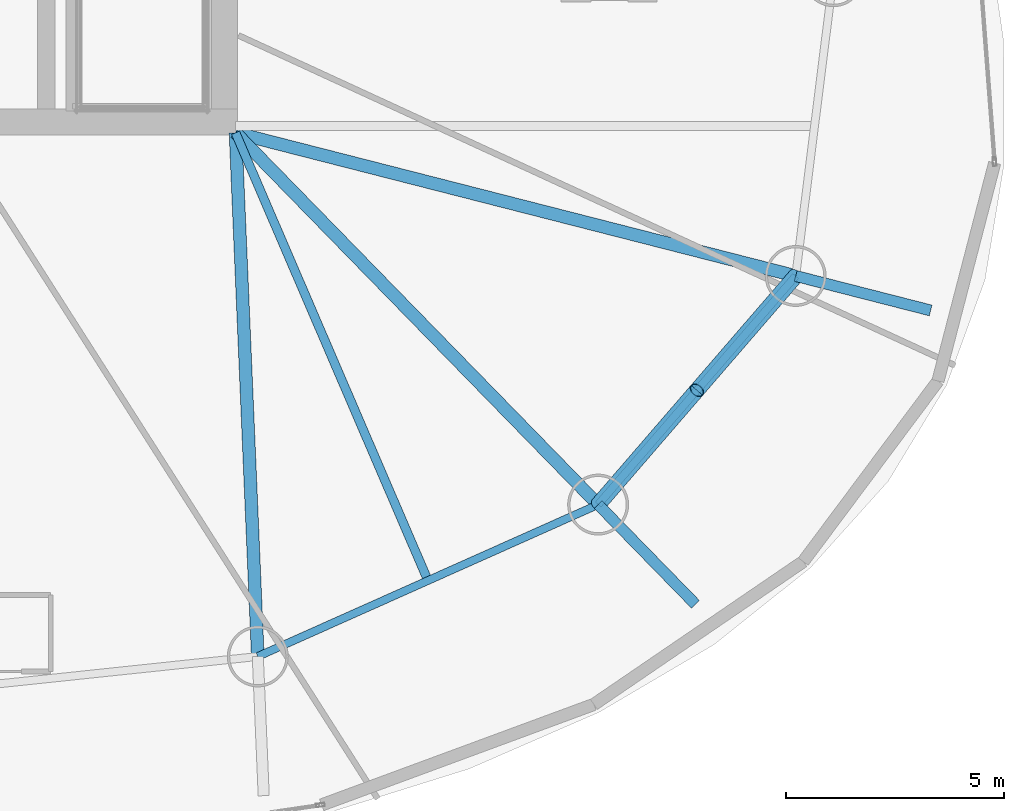
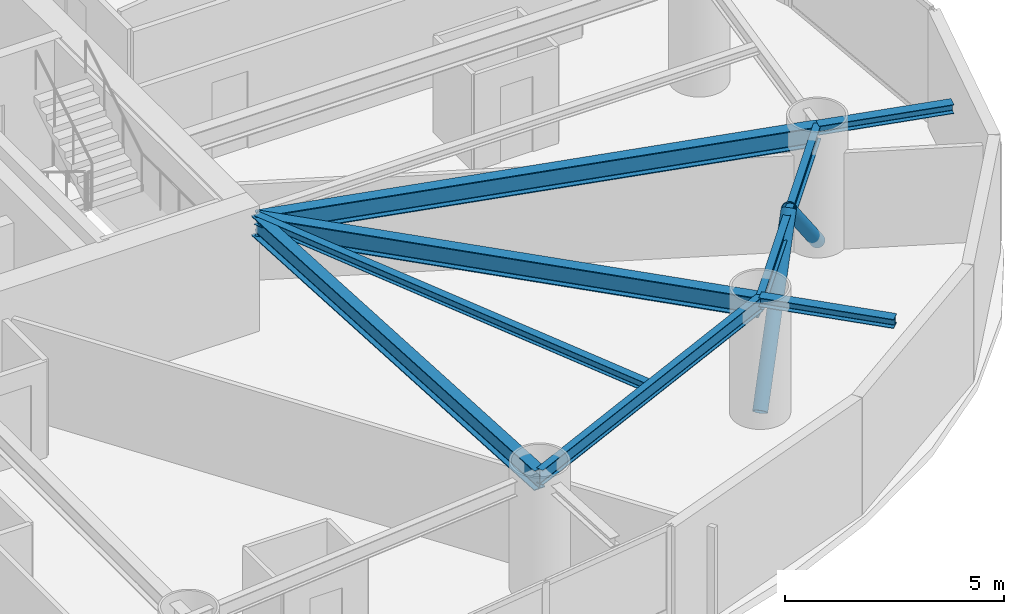
# One storey, part 9 of 22: 8 beams, 2 members.
"""IFC4 building model written with IfcOpenShell, lengths in metres."""

from ifc_helpers import new_model, si_unit, direction, frame, origin, origin_2d, place, context, subcontext, project, spatial, hollow_circle, i_section, extrude, material, material_profile, profile_set, type_object, element, save


model = new_model("IFC4")

# Units and contexts
model_context = context("Model", 3, precision=1e-05, world=origin(), true_north=direction((0.0, 1.0)))
body_context = subcontext(model_context, "Body", "Model", "MODEL_VIEW")
ifc_project = project(units=[si_unit("LENGTHUNIT", "METRE"), si_unit("AREAUNIT", "SQUARE_METRE"), si_unit("VOLUMEUNIT", "CUBIC_METRE"), si_unit("PLANEANGLEUNIT", "RADIAN"), si_unit("MASSUNIT", "GRAM", prefix="KILO")], contexts=[model_context])

# Site, building, storey
site_placement = place(None, origin())
site = spatial("IfcSite", under=ifc_project, at=site_placement, CompositionType="ELEMENT")
building_placement = place(site_placement, origin())
building = spatial("IfcBuilding", under=site, at=building_placement, Name="Bramvorn Convention Spire", CompositionType="ELEMENT")
storey_placement = place(building_placement, frame((0.0, 0.0, 134.300048828125)))
storey = spatial("IfcBuildingStorey", under=building, at=storey_placement, Name="L33", CompositionType="ELEMENT", Elevation=134.300048828125)

# Beams
ifc_material = material(Name="Steel CSA G40.21 Grade 350 (350W)", Category="steel")
ifc_material_profile_1 = material_profile(ifc_material, i_section(OverallWidth=0.201904296875, OverallDepth=0.2470703125, WebThickness=0.00732421875, FlangeThickness=0.010986328125, FilletRadius=0.011962890625, at=origin_2d()))
ifc_profile_set_1 = profile_set([ifc_material_profile_1], Name="Steel CSA G40.21 Grade 350 (350W) - W250X49")
beam_type_1 = type_object("IfcBeamType", Name="BM-W250X49", PredefinedType="JOIST", material=ifc_profile_set_1)
beam_1_placement = place(storey_placement, frame((49.25, 18.550048828125, 3.136474609375), z_axis=(0.394937739893, -0.918707886985, 0.0), x_axis=(0.918707886985, 0.394937739893, 0.0)))
element("IfcBeam", 1, at=beam_1_placement, inside=storey, type_object=beam_type_1, Name="L33 composite floor joist 15", PredefinedType="JOIST", context=body_context, shape_type="SweptSolid", body=[
    extrude(i_section(OverallWidth=0.201904296875, OverallDepth=0.2470703125, WebThickness=0.00732421875, FlangeThickness=0.010986328125, FilletRadius=0.011962890625, at=origin_2d()), origin(), (0.0, 0.0, 1.0), 11.19384765625),
])
ifc_material_profile_2 = material_profile(ifc_material, i_section(OverallWidth=0.25390625, OverallDepth=0.2529296875, WebThickness=0.008544921875, FlangeThickness=0.01416015625, FilletRadius=0.011962890625, at=origin_2d()))
ifc_profile_set_2 = profile_set([ifc_material_profile_2], Name="Steel CSA G40.21 Grade 350 (350W) - W250X73")
beam_type_2 = type_object("IfcBeamType", Name="BM-W250X73", PredefinedType="BEAM", material=ifc_profile_set_2)
for number, where, z_axis, x_axis, name in (
    (2, (62.11767578125, 15.26220703125, 3.133544921875), (0.968868276357, -0.24757678217, 0.0), (0.24757678217, 0.968868276357, 0.0), "L33 slab-edge cantilever tip beam MC01"),
    (3, (57.579833984375, 10.0107421875, 3.133544921875), (0.69827808588, -0.715826595468, 0.0), (0.715826595468, 0.69827808588, 0.0), "L33 slab-edge cantilever tip beam MC16"),
):
    element("IfcBeam", number, at=place(storey_placement, frame(where, z_axis=z_axis, x_axis=x_axis)), inside=storey, type_object=beam_type_2, Name=name, PredefinedType="BEAM", context=body_context, shape_type="SweptSolid", body=[
        extrude(i_section(OverallWidth=0.25390625, OverallDepth=0.2529296875, WebThickness=0.008544921875, FlangeThickness=0.01416015625, FilletRadius=0.011962890625, at=origin_2d()), origin(), (0.0, 0.0, 1.0), 3.199951171875),
    ])
ifc_material_profile_3 = material_profile(ifc_material, i_section(OverallWidth=0.180908203125, OverallDepth=0.4169921875, WebThickness=0.010986328125, FlangeThickness=0.018310546875, FilletRadius=0.01611328125, at=origin_2d()))
ifc_profile_set_3 = profile_set([ifc_material_profile_3], Name="Steel CSA G40.21 Grade 350 (350W) - W410X85")
beam_type_3 = type_object("IfcBeamType", Name="BM-W410X85", PredefinedType="JOIST", material=ifc_profile_set_3)
beam_2_placement = place(storey_placement, frame((49.76171875, 6.521240234375, 3.051513671875), z_axis=(0.913169534701, 0.407579931908, 0.0), x_axis=(-0.407579931908, 0.913169534701, 0.0)))
element("IfcBeam", 4, at=beam_2_placement, inside=storey, type_object=beam_type_3, Name="L33 mega-column ring beam 15", PredefinedType="JOIST", context=body_context, shape_type="SweptSolid", body=[
    extrude(i_section(OverallWidth=0.180908203125, OverallDepth=0.4169921875, WebThickness=0.010986328125, FlangeThickness=0.018310546875, FilletRadius=0.01611328125, at=origin_2d()), origin(), (0.0, 0.0, 1.0), 8.5615234375),
])
beam_3_placement = place(storey_placement, frame((57.579833984375, 10.0107421875, 3.051513671875), z_axis=(0.653824993824, 0.756645807132, 0.0), x_axis=(-0.756645807132, 0.653824993824, 0.0)))
element("IfcBeam", 5, at=beam_3_placement, inside=storey, type_object=beam_type_3, Name="L33 mega-column ring beam 16", PredefinedType="JOIST", context=body_context, shape_type="SweptSolid", body=[
    extrude(i_section(OverallWidth=0.180908203125, OverallDepth=0.4169921875, WebThickness=0.010986328125, FlangeThickness=0.018310546875, FilletRadius=0.01611328125, at=origin_2d()), origin(), (0.0, 0.0, 1.0), 6.9404296875),
])
ifc_material_profile_4 = material_profile(ifc_material, i_section(OverallWidth=0.2919921875, OverallDepth=0.551025390625, WebThickness=0.01513671875, FlangeThickness=0.0244140625, FilletRadius=0.01904296875, at=origin_2d()))
ifc_profile_set_4 = profile_set([ifc_material_profile_4], Name="Steel CSA G40.21 Grade 350 (350W) - W530X182")
beam_type_4 = type_object("IfcBeamType", Name="BM-W530X182", PredefinedType="BEAM", material=ifc_profile_set_4)
beam_4_placement = place(storey_placement, frame((49.25, 18.550048828125, 2.984375), z_axis=(0.968872976577, -0.247558387576, 0.0), x_axis=(0.247558387576, 0.968872976577, 0.0)))
element("IfcBeam", 6, at=beam_4_placement, inside=storey, type_object=beam_type_4, Name="L33 radial floor girder MC01", PredefinedType="BEAM", context=body_context, shape_type="SweptSolid", body=[
    extrude(i_section(OverallWidth=0.2919921875, OverallDepth=0.551025390625, WebThickness=0.01513671875, FlangeThickness=0.0244140625, FilletRadius=0.01904296875, at=origin_2d()), origin(), (0.0, 0.0, 1.0), 13.281005859375),
])
beam_5_placement = place(storey_placement, frame((49.25, 18.550048828125, 2.984375), z_axis=(0.042502657955, -0.999096353745, 0.0), x_axis=(0.999096353745, 0.042502657955, 0.0)))
element("IfcBeam", 7, at=beam_5_placement, inside=storey, type_object=beam_type_4, Name="L33 radial floor girder MC15", PredefinedType="BEAM", context=body_context, shape_type="SweptSolid", body=[
    extrude(i_section(OverallWidth=0.2919921875, OverallDepth=0.551025390625, WebThickness=0.01513671875, FlangeThickness=0.0244140625, FilletRadius=0.01904296875, at=origin_2d()), origin(), (0.0, 0.0, 1.0), 12.039794921875),
])
beam_6_placement = place(storey_placement, frame((49.25, 18.550048828125, 2.984375), z_axis=(0.698272445638, -0.715832097397, 0.0), x_axis=(0.715832097397, 0.698272445638, 0.0)))
element("IfcBeam", 8, at=beam_6_placement, inside=storey, type_object=beam_type_4, Name="L33 radial floor girder MC16", PredefinedType="BEAM", context=body_context, shape_type="SweptSolid", body=[
    extrude(i_section(OverallWidth=0.2919921875, OverallDepth=0.551025390625, WebThickness=0.01513671875, FlangeThickness=0.0244140625, FilletRadius=0.01904296875, at=origin_2d()), origin(), (0.0, 0.0, 1.0), 11.92919921875),
])

# Members
ifc_material_profile_5 = material_profile(ifc_material, hollow_circle(Radius=0.177734375, WallThickness=0.015869140625, at=origin_2d()))
ifc_profile_set_5 = profile_set([ifc_material_profile_5], Name="Steel CSA G40.21 Grade 350 (350W) - CHS356X16")
member_type = type_object("IfcMemberType", Name="MBR-CHS356X16", PredefinedType="BRACE", material=ifc_profile_set_5)
member_1_placement = place(storey_placement, frame((57.579833984375, 10.0107421875, 0.0), z_axis=(0.476512423349, 0.551478652009, 0.684694973526), x_axis=(-0.756663209553, 0.653804854149, 0.0)))
element("IfcMember", 9, at=member_1_placement, inside=storey, type_object=member_type, Name="L33 perimeter Gothic lancet brace 16A", PredefinedType="BRACE", context=body_context, shape_type="SweptSolid", body=[
    extrude(hollow_circle(Radius=0.177734375, WallThickness=0.015869140625, at=origin_2d()), origin(), (0.0, 0.0, 1.0), 4.76123046875),
])
member_2_placement = place(storey_placement, frame((62.11767578125, 15.26220703125, 0.0), z_axis=(-0.476552055337, -0.551465177012, 0.684678243481), x_axis=(0.756628404976, -0.65384513211, 0.0)))
element("IfcMember", 10, at=member_2_placement, inside=storey, type_object=member_type, Name="L33 perimeter Gothic lancet brace 16B", PredefinedType="BRACE", context=body_context, shape_type="SweptSolid", body=[
    extrude(hollow_circle(Radius=0.177734375, WallThickness=0.015869140625, at=origin_2d()), origin(), (0.0, 0.0, 1.0), 4.761474609375),
])

save(model, "model.ifc")
